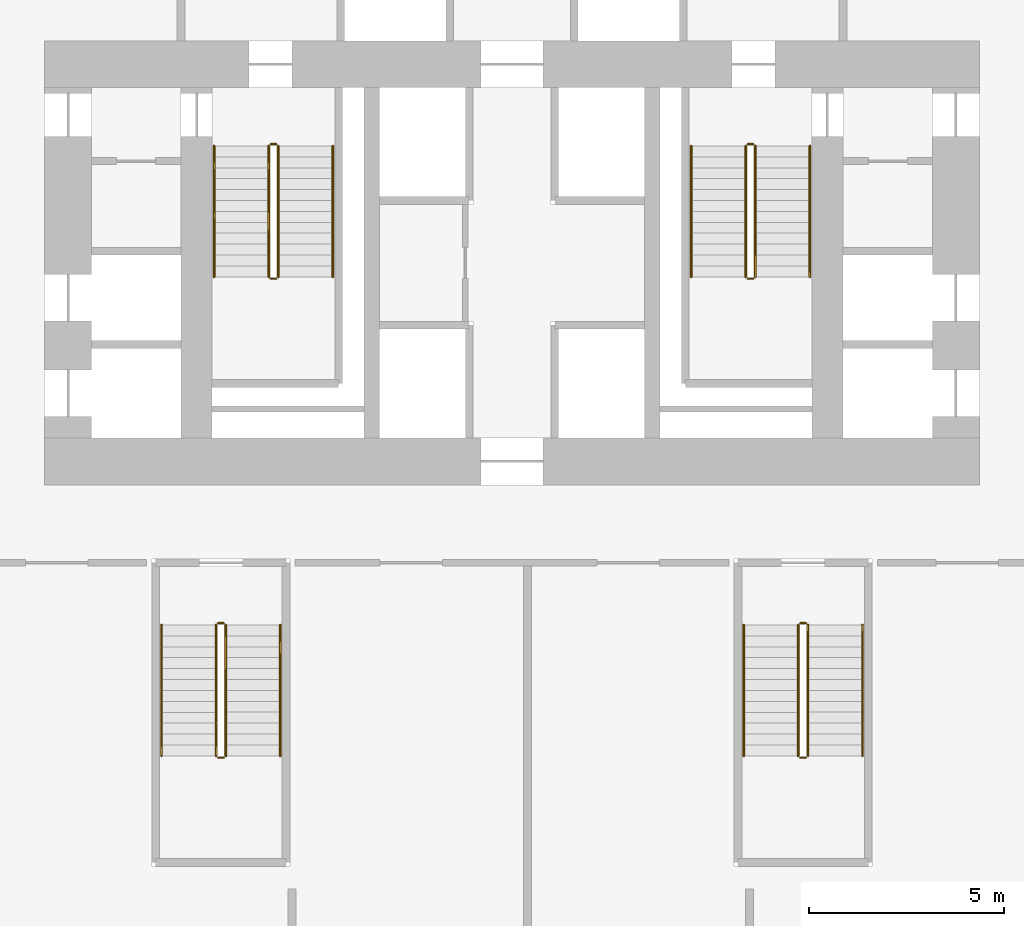
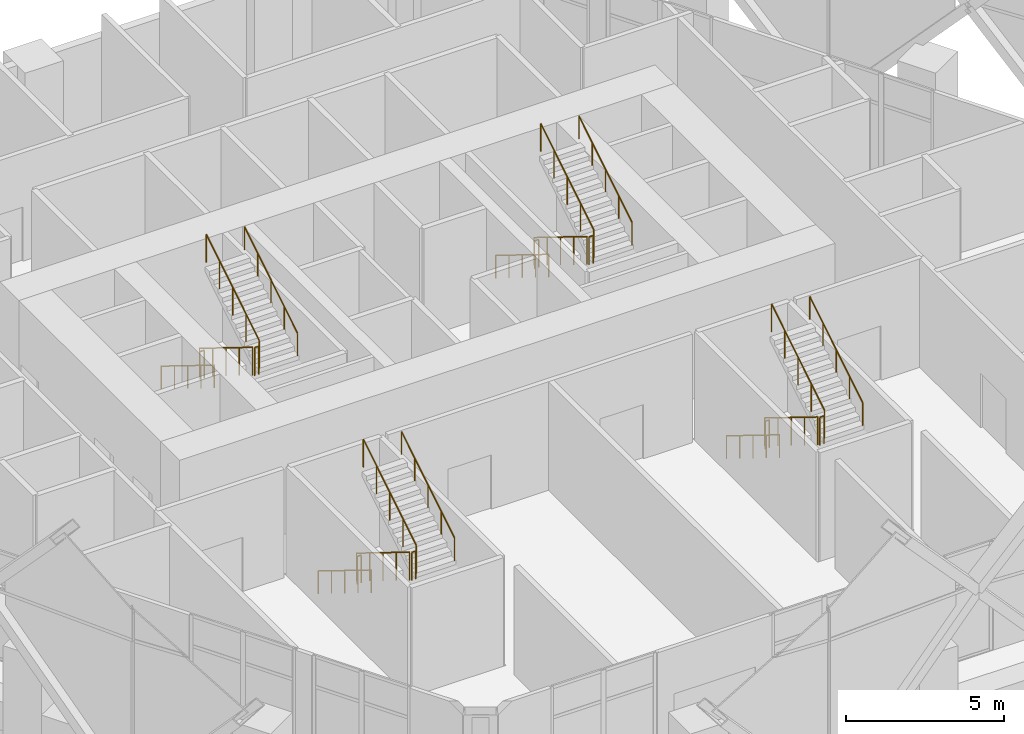
# One storey, part 46 of 46: 24 railings.
"""IFC4 building model written with IfcOpenShell, lengths in metres."""

from ifc_helpers import new_model, si_unit, direction, frame, origin, origin_2d, place, context, subcontext, project, spatial, circle, extrude, material, type_object, element, save


model = new_model("IFC4")

# Units and contexts
model_context = context("Model", 3, precision=1e-05, world=origin(), true_north=direction((0.0, 1.0)))
body_context = subcontext(model_context, "Body", "Model", "MODEL_VIEW")
ifc_project = project(units=[si_unit("LENGTHUNIT", "METRE"), si_unit("AREAUNIT", "SQUARE_METRE"), si_unit("VOLUMEUNIT", "CUBIC_METRE"), si_unit("PLANEANGLEUNIT", "RADIAN"), si_unit("MASSUNIT", "GRAM", prefix="KILO")], contexts=[model_context])

# Site, building, storey
site_placement = place(None, origin())
site = spatial("IfcSite", under=ifc_project, at=site_placement, CompositionType="ELEMENT")
building_placement = place(site_placement, origin())
building = spatial("IfcBuilding", under=site, at=building_placement, Name="Ostrander Bayou Hotel Tower", CompositionType="ELEMENT")
storey_placement = place(building_placement, frame((0.0, 0.0, 23.5)))
storey = spatial("IfcBuildingStorey", under=building, at=storey_placement, Name="L05", CompositionType="ELEMENT", Elevation=23.5)

# Railings
ifc_material_1 = material(Name="Steel ASTM A500 Gr C", Category="steel")
railing_type_1 = type_object("IfcRailingType", Name="GR1 stair guard 1100 mm steel", PredefinedType="GUARDRAIL", material=ifc_material_1)
railing_1_placement = place(storey_placement, frame((-6.25, 7.0, 0.173095703125)))
element("IfcRailing", 1, at=railing_1_placement, inside=storey, type_object=railing_type_1, Name="L05 STA stair guard 1", PredefinedType="GUARDRAIL", context=body_context, shape_type="SweptSolid", body=[
    extrude(circle(Radius=0.02392578125, at=origin_2d()), frame((0.0, 0.0, 1.076171875), z_axis=(0.0, -0.850623216509, 0.525775754039), x_axis=(1.0, 0.0, 0.0)), (0.0, 0.0, 1.0), 3.9501953125),
    extrude(circle(Radius=0.02099609375, at=origin_2d()), origin(), (0.0, 0.0, 1.0), 1.052001953125),
    extrude(circle(Radius=0.02099609375, at=origin_2d()), frame((0.0, -0.840087890625, 0.519287109375)), (0.0, 0.0, 1.0), 1.052001953125),
    extrude(circle(Radius=0.02099609375, at=origin_2d()), frame((0.0, -1.68017578125, 1.03857421875)), (0.0, 0.0, 1.0), 1.052001953125),
    extrude(circle(Radius=0.02099609375, at=origin_2d()), frame((0.0, -2.52001953125, 1.5576171875)), (0.0, 0.0, 1.0), 1.052001953125),
    extrude(circle(Radius=0.02099609375, at=origin_2d()), frame((0.0, -3.360107421875, 2.076904296875)), (0.0, 0.0, 1.0), 1.052001953125),
])
railing_2_placement = place(storey_placement, frame((-6.199951171875, 3.590087890625, 2.25)))
element("IfcRailing", 2, at=railing_2_placement, inside=storey, type_object=railing_type_1, Name="L05 STA stair guard 2", PredefinedType="GUARDRAIL", context=body_context, shape_type="SweptSolid", body=[
    extrude(circle(Radius=0.02392578125, at=origin_2d()), frame((0.0, 0.0, 1.076171875), z_axis=(1.0, 0.0, 0.0), x_axis=(0.0, 1.0, 0.0)), (0.0, 0.0, 1.0), 0.14990234375),
    extrude(circle(Radius=0.02099609375, at=origin_2d()), origin(), (0.0, 0.0, 1.0), 1.052001953125),
    extrude(circle(Radius=0.02099609375, at=origin_2d()), frame((0.14990234375, 0.0, 0.0)), (0.0, 0.0, 1.0), 1.052001953125),
])
railing_3_placement = place(storey_placement, frame((-6.0, 3.639892578125, 2.423095703125)))
element("IfcRailing", 3, at=railing_3_placement, inside=storey, type_object=railing_type_1, Name="L05 STA stair guard 3", PredefinedType="GUARDRAIL", context=body_context, shape_type="SweptSolid", body=[
    extrude(circle(Radius=0.02392578125, at=origin_2d()), frame((0.0, 0.0, 1.076171875), z_axis=(0.0, 0.850623216509, 0.525775754039), x_axis=(-1.0, 0.0, 0.0)), (0.0, 0.0, 1.0), 3.9501953125),
    extrude(circle(Radius=0.02099609375, at=origin_2d()), origin(), (0.0, 0.0, 1.0), 1.052001953125),
    extrude(circle(Radius=0.02099609375, at=origin_2d()), frame((0.0, 0.840087890625, 0.519287109375)), (0.0, 0.0, 1.0), 1.052001953125),
    extrude(circle(Radius=0.02099609375, at=origin_2d()), frame((0.0, 1.68017578125, 1.03857421875)), (0.0, 0.0, 1.0), 1.052001953125),
    extrude(circle(Radius=0.02099609375, at=origin_2d()), frame((0.0, 2.52001953125, 1.5576171875)), (0.0, 0.0, 1.0), 1.052001953125),
    extrude(circle(Radius=0.02099609375, at=origin_2d()), frame((0.0, 3.360107421875, 2.076904296875)), (0.0, 0.0, 1.0), 1.052001953125),
])
railing_4_placement = place(storey_placement, frame((-6.199951171875, 7.050048828125, 0.0)))
element("IfcRailing", 4, at=railing_4_placement, inside=storey, type_object=railing_type_1, Name="L05 STA stair guard 4", PredefinedType="GUARDRAIL", context=body_context, shape_type="SweptSolid", body=[
    extrude(circle(Radius=0.02392578125, at=origin_2d()), frame((0.0, 0.0, 1.076171875), z_axis=(1.0, 0.0, 0.0), x_axis=(0.0, 1.0, 0.0)), (0.0, 0.0, 1.0), 0.14990234375),
    extrude(circle(Radius=0.02099609375, at=origin_2d()), origin(), (0.0, 0.0, 1.0), 1.052001953125),
    extrude(circle(Radius=0.02099609375, at=origin_2d()), frame((0.14990234375, 0.0, 0.0)), (0.0, 0.0, 1.0), 1.052001953125),
])
railing_5_placement = place(storey_placement, frame((6.0, 7.0, 0.173095703125)))
element("IfcRailing", 5, at=railing_5_placement, inside=storey, type_object=railing_type_1, Name="L05 STB stair guard 1", PredefinedType="GUARDRAIL", context=body_context, shape_type="SweptSolid", body=[
    extrude(circle(Radius=0.02392578125, at=origin_2d()), frame((0.0, 0.0, 1.076171875), z_axis=(0.0, -0.850623216509, 0.525775754039), x_axis=(1.0, 0.0, 0.0)), (0.0, 0.0, 1.0), 3.9501953125),
    extrude(circle(Radius=0.02099609375, at=origin_2d()), origin(), (0.0, 0.0, 1.0), 1.052001953125),
    extrude(circle(Radius=0.02099609375, at=origin_2d()), frame((0.0, -0.840087890625, 0.519287109375)), (0.0, 0.0, 1.0), 1.052001953125),
    extrude(circle(Radius=0.02099609375, at=origin_2d()), frame((0.0, -1.68017578125, 1.03857421875)), (0.0, 0.0, 1.0), 1.052001953125),
    extrude(circle(Radius=0.02099609375, at=origin_2d()), frame((0.0, -2.52001953125, 1.5576171875)), (0.0, 0.0, 1.0), 1.052001953125),
    extrude(circle(Radius=0.02099609375, at=origin_2d()), frame((0.0, -3.360107421875, 2.076904296875)), (0.0, 0.0, 1.0), 1.052001953125),
])
railing_6_placement = place(storey_placement, frame((6.050048828125, 3.590087890625, 2.25)))
element("IfcRailing", 6, at=railing_6_placement, inside=storey, type_object=railing_type_1, Name="L05 STB stair guard 2", PredefinedType="GUARDRAIL", context=body_context, shape_type="SweptSolid", body=[
    extrude(circle(Radius=0.02392578125, at=origin_2d()), frame((0.0, 0.0, 1.076171875), z_axis=(1.0, 0.0, 0.0), x_axis=(0.0, 1.0, 0.0)), (0.0, 0.0, 1.0), 0.14990234375),
    extrude(circle(Radius=0.02099609375, at=origin_2d()), origin(), (0.0, 0.0, 1.0), 1.052001953125),
    extrude(circle(Radius=0.02099609375, at=origin_2d()), frame((0.14990234375, 0.0, 0.0)), (0.0, 0.0, 1.0), 1.052001953125),
])
railing_7_placement = place(storey_placement, frame((6.25, 3.639892578125, 2.423095703125)))
element("IfcRailing", 7, at=railing_7_placement, inside=storey, type_object=railing_type_1, Name="L05 STB stair guard 3", PredefinedType="GUARDRAIL", context=body_context, shape_type="SweptSolid", body=[
    extrude(circle(Radius=0.02392578125, at=origin_2d()), frame((0.0, 0.0, 1.076171875), z_axis=(0.0, 0.850623216509, 0.525775754039), x_axis=(-1.0, 0.0, 0.0)), (0.0, 0.0, 1.0), 3.9501953125),
    extrude(circle(Radius=0.02099609375, at=origin_2d()), origin(), (0.0, 0.0, 1.0), 1.052001953125),
    extrude(circle(Radius=0.02099609375, at=origin_2d()), frame((0.0, 0.840087890625, 0.519287109375)), (0.0, 0.0, 1.0), 1.052001953125),
    extrude(circle(Radius=0.02099609375, at=origin_2d()), frame((0.0, 1.68017578125, 1.03857421875)), (0.0, 0.0, 1.0), 1.052001953125),
    extrude(circle(Radius=0.02099609375, at=origin_2d()), frame((0.0, 2.52001953125, 1.5576171875)), (0.0, 0.0, 1.0), 1.052001953125),
    extrude(circle(Radius=0.02099609375, at=origin_2d()), frame((0.0, 3.360107421875, 2.076904296875)), (0.0, 0.0, 1.0), 1.052001953125),
])
railing_8_placement = place(storey_placement, frame((6.050048828125, 7.050048828125, 0.0)))
element("IfcRailing", 8, at=railing_8_placement, inside=storey, type_object=railing_type_1, Name="L05 STB stair guard 4", PredefinedType="GUARDRAIL", context=body_context, shape_type="SweptSolid", body=[
    extrude(circle(Radius=0.02392578125, at=origin_2d()), frame((0.0, 0.0, 1.076171875), z_axis=(1.0, 0.0, 0.0), x_axis=(0.0, 1.0, 0.0)), (0.0, 0.0, 1.0), 0.14990234375),
    extrude(circle(Radius=0.02099609375, at=origin_2d()), origin(), (0.0, 0.0, 1.0), 1.052001953125),
    extrude(circle(Radius=0.02099609375, at=origin_2d()), frame((0.14990234375, 0.0, 0.0)), (0.0, 0.0, 1.0), 1.052001953125),
])
railing_9_placement = place(storey_placement, frame((7.35009765625, -5.300048828125, 0.173095703125)))
element("IfcRailing", 9, at=railing_9_placement, inside=storey, type_object=railing_type_1, Name="L05 STC stair guard 1", PredefinedType="GUARDRAIL", context=body_context, shape_type="SweptSolid", body=[
    extrude(circle(Radius=0.02392578125, at=origin_2d()), frame((0.0, 0.0, 1.076171875), z_axis=(0.0, -0.850606129759, 0.525803396734), x_axis=(1.0, 0.0, 0.0)), (0.0, 0.0, 1.0), 3.949951171875),
    extrude(circle(Radius=0.02099609375, at=origin_2d()), origin(), (0.0, 0.0, 1.0), 1.052001953125),
    extrude(circle(Radius=0.02099609375, at=origin_2d()), frame((0.0, -0.83984375, 0.519287109375)), (0.0, 0.0, 1.0), 1.052001953125),
    extrude(circle(Radius=0.02099609375, at=origin_2d()), frame((0.0, -1.679931640625, 1.03857421875)), (0.0, 0.0, 1.0), 1.052001953125),
    extrude(circle(Radius=0.02099609375, at=origin_2d()), frame((0.0, -2.52001953125, 1.5576171875)), (0.0, 0.0, 1.0), 1.052001953125),
    extrude(circle(Radius=0.02099609375, at=origin_2d()), frame((0.0, -3.35986328125, 2.076904296875)), (0.0, 0.0, 1.0), 1.052001953125),
])
railing_10_placement = place(storey_placement, frame((7.39990234375, -8.7099609375, 2.25)))
element("IfcRailing", 10, at=railing_10_placement, inside=storey, type_object=railing_type_1, Name="L05 STC stair guard 2", PredefinedType="GUARDRAIL", context=body_context, shape_type="SweptSolid", body=[
    extrude(circle(Radius=0.02392578125, at=origin_2d()), frame((0.0, 0.0, 1.076171875), z_axis=(1.0, 0.0, 0.0), x_axis=(0.0, 1.0, 0.0)), (0.0, 0.0, 1.0), 0.150146484375),
    extrude(circle(Radius=0.02099609375, at=origin_2d()), origin(), (0.0, 0.0, 1.0), 1.052001953125),
    extrude(circle(Radius=0.02099609375, at=origin_2d()), frame((0.150146484375, 0.0, 0.0)), (0.0, 0.0, 1.0), 1.052001953125),
])
railing_11_placement = place(storey_placement, frame((7.60009765625, -8.659912109375, 2.423095703125)))
element("IfcRailing", 11, at=railing_11_placement, inside=storey, type_object=railing_type_1, Name="L05 STC stair guard 3", PredefinedType="GUARDRAIL", context=body_context, shape_type="SweptSolid", body=[
    extrude(circle(Radius=0.02392578125, at=origin_2d()), frame((0.0, 0.0, 1.076171875), z_axis=(0.0, 0.850606129759, 0.525803396734), x_axis=(-1.0, 0.0, 0.0)), (0.0, 0.0, 1.0), 3.949951171875),
    extrude(circle(Radius=0.02099609375, at=origin_2d()), origin(), (0.0, 0.0, 1.0), 1.052001953125),
    extrude(circle(Radius=0.02099609375, at=origin_2d()), frame((0.0, 0.83984375, 0.519287109375)), (0.0, 0.0, 1.0), 1.052001953125),
    extrude(circle(Radius=0.02099609375, at=origin_2d()), frame((0.0, 1.679931640625, 1.03857421875)), (0.0, 0.0, 1.0), 1.052001953125),
    extrude(circle(Radius=0.02099609375, at=origin_2d()), frame((0.0, 2.52001953125, 1.5576171875)), (0.0, 0.0, 1.0), 1.052001953125),
    extrude(circle(Radius=0.02099609375, at=origin_2d()), frame((0.0, 3.35986328125, 2.076904296875)), (0.0, 0.0, 1.0), 1.052001953125),
])
railing_12_placement = place(storey_placement, frame((7.39990234375, -5.25, 0.0)))
element("IfcRailing", 12, at=railing_12_placement, inside=storey, type_object=railing_type_1, Name="L05 STC stair guard 4", PredefinedType="GUARDRAIL", context=body_context, shape_type="SweptSolid", body=[
    extrude(circle(Radius=0.02392578125, at=origin_2d()), frame((0.0, 0.0, 1.076171875), z_axis=(1.0, 0.0, 0.0), x_axis=(0.0, 1.0, 0.0)), (0.0, 0.0, 1.0), 0.150146484375),
    extrude(circle(Radius=0.02099609375, at=origin_2d()), origin(), (0.0, 0.0, 1.0), 1.052001953125),
    extrude(circle(Radius=0.02099609375, at=origin_2d()), frame((0.150146484375, 0.0, 0.0)), (0.0, 0.0, 1.0), 1.052001953125),
])
railing_13_placement = place(storey_placement, frame((-7.60009765625, -5.300048828125, 0.173095703125)))
element("IfcRailing", 13, at=railing_13_placement, inside=storey, type_object=railing_type_1, Name="L05 STD stair guard 1", PredefinedType="GUARDRAIL", context=body_context, shape_type="SweptSolid", body=[
    extrude(circle(Radius=0.02392578125, at=origin_2d()), frame((0.0, 0.0, 1.076171875), z_axis=(0.0, -0.850606129759, 0.525803396734), x_axis=(1.0, 0.0, 0.0)), (0.0, 0.0, 1.0), 3.949951171875),
    extrude(circle(Radius=0.02099609375, at=origin_2d()), origin(), (0.0, 0.0, 1.0), 1.052001953125),
    extrude(circle(Radius=0.02099609375, at=origin_2d()), frame((0.0, -0.83984375, 0.519287109375)), (0.0, 0.0, 1.0), 1.052001953125),
    extrude(circle(Radius=0.02099609375, at=origin_2d()), frame((0.0, -1.679931640625, 1.03857421875)), (0.0, 0.0, 1.0), 1.052001953125),
    extrude(circle(Radius=0.02099609375, at=origin_2d()), frame((0.0, -2.52001953125, 1.5576171875)), (0.0, 0.0, 1.0), 1.052001953125),
    extrude(circle(Radius=0.02099609375, at=origin_2d()), frame((0.0, -3.35986328125, 2.076904296875)), (0.0, 0.0, 1.0), 1.052001953125),
])
railing_14_placement = place(storey_placement, frame((-7.550048828125, -8.7099609375, 2.25)))
element("IfcRailing", 14, at=railing_14_placement, inside=storey, type_object=railing_type_1, Name="L05 STD stair guard 2", PredefinedType="GUARDRAIL", context=body_context, shape_type="SweptSolid", body=[
    extrude(circle(Radius=0.02392578125, at=origin_2d()), frame((0.0, 0.0, 1.076171875), z_axis=(1.0, 0.0, 0.0), x_axis=(0.0, 1.0, 0.0)), (0.0, 0.0, 1.0), 0.150146484375),
    extrude(circle(Radius=0.02099609375, at=origin_2d()), origin(), (0.0, 0.0, 1.0), 1.052001953125),
    extrude(circle(Radius=0.02099609375, at=origin_2d()), frame((0.150146484375, 0.0, 0.0)), (0.0, 0.0, 1.0), 1.052001953125),
])
railing_15_placement = place(storey_placement, frame((-7.35009765625, -8.659912109375, 2.423095703125)))
element("IfcRailing", 15, at=railing_15_placement, inside=storey, type_object=railing_type_1, Name="L05 STD stair guard 3", PredefinedType="GUARDRAIL", context=body_context, shape_type="SweptSolid", body=[
    extrude(circle(Radius=0.02392578125, at=origin_2d()), frame((0.0, 0.0, 1.076171875), z_axis=(0.0, 0.850606129759, 0.525803396734), x_axis=(-1.0, 0.0, 0.0)), (0.0, 0.0, 1.0), 3.949951171875),
    extrude(circle(Radius=0.02099609375, at=origin_2d()), origin(), (0.0, 0.0, 1.0), 1.052001953125),
    extrude(circle(Radius=0.02099609375, at=origin_2d()), frame((0.0, 0.83984375, 0.519287109375)), (0.0, 0.0, 1.0), 1.052001953125),
    extrude(circle(Radius=0.02099609375, at=origin_2d()), frame((0.0, 1.679931640625, 1.03857421875)), (0.0, 0.0, 1.0), 1.052001953125),
    extrude(circle(Radius=0.02099609375, at=origin_2d()), frame((0.0, 2.52001953125, 1.5576171875)), (0.0, 0.0, 1.0), 1.052001953125),
    extrude(circle(Radius=0.02099609375, at=origin_2d()), frame((0.0, 3.35986328125, 2.076904296875)), (0.0, 0.0, 1.0), 1.052001953125),
])
railing_16_placement = place(storey_placement, frame((-7.550048828125, -5.25, 0.0)))
element("IfcRailing", 16, at=railing_16_placement, inside=storey, type_object=railing_type_1, Name="L05 STD stair guard 4", PredefinedType="GUARDRAIL", context=body_context, shape_type="SweptSolid", body=[
    extrude(circle(Radius=0.02392578125, at=origin_2d()), frame((0.0, 0.0, 1.076171875), z_axis=(1.0, 0.0, 0.0), x_axis=(0.0, 1.0, 0.0)), (0.0, 0.0, 1.0), 0.150146484375),
    extrude(circle(Radius=0.02099609375, at=origin_2d()), origin(), (0.0, 0.0, 1.0), 1.052001953125),
    extrude(circle(Radius=0.02099609375, at=origin_2d()), frame((0.150146484375, 0.0, 0.0)), (0.0, 0.0, 1.0), 1.052001953125),
])
ifc_material_2 = material(Name="Steel ASTM A500 Gr C", Category="steel")
railing_type_2 = type_object("IfcRailingType", Name="HR1 stair handrail 900 mm steel", PredefinedType="HANDRAIL", material=ifc_material_2)
railing_17_placement = place(storey_placement, frame((-7.64990234375, 7.0, 0.173095703125)))
element("IfcRailing", 17, at=railing_17_placement, inside=storey, type_object=railing_type_2, Name="L05 STA stair handrail 1", PredefinedType="HANDRAIL", context=body_context, shape_type="SweptSolid", body=[
    extrude(circle(Radius=0.02392578125, at=origin_2d()), frame((0.0, 0.0, 0.8759765625), z_axis=(0.0, -0.850623216509, 0.525775754039), x_axis=(1.0, 0.0, 0.0)), (0.0, 0.0, 1.0), 3.9501953125),
    extrude(circle(Radius=0.02099609375, at=origin_2d()), origin(), (0.0, 0.0, 1.0), 0.851806640625),
    extrude(circle(Radius=0.02099609375, at=origin_2d()), frame((0.0, -0.840087890625, 0.519287109375)), (0.0, 0.0, 1.0), 0.851806640625),
    extrude(circle(Radius=0.02099609375, at=origin_2d()), frame((0.0, -1.68017578125, 1.03857421875)), (0.0, 0.0, 1.0), 0.851806640625),
    extrude(circle(Radius=0.02099609375, at=origin_2d()), frame((0.0, -2.52001953125, 1.5576171875)), (0.0, 0.0, 1.0), 0.851806640625),
    extrude(circle(Radius=0.02099609375, at=origin_2d()), frame((0.0, -3.360107421875, 2.076904296875)), (0.0, 0.0, 1.0), 0.851806640625),
])
railing_18_placement = place(storey_placement, frame((-4.60009765625, 3.639892578125, 2.423095703125)))
element("IfcRailing", 18, at=railing_18_placement, inside=storey, type_object=railing_type_2, Name="L05 STA stair handrail 2", PredefinedType="HANDRAIL", context=body_context, shape_type="SweptSolid", body=[
    extrude(circle(Radius=0.02392578125, at=origin_2d()), frame((0.0, 0.0, 0.8759765625), z_axis=(0.0, 0.850623216509, 0.525775754039), x_axis=(-1.0, 0.0, 0.0)), (0.0, 0.0, 1.0), 3.9501953125),
    extrude(circle(Radius=0.02099609375, at=origin_2d()), origin(), (0.0, 0.0, 1.0), 0.851806640625),
    extrude(circle(Radius=0.02099609375, at=origin_2d()), frame((0.0, 0.840087890625, 0.519287109375)), (0.0, 0.0, 1.0), 0.851806640625),
    extrude(circle(Radius=0.02099609375, at=origin_2d()), frame((0.0, 1.68017578125, 1.03857421875)), (0.0, 0.0, 1.0), 0.851806640625),
    extrude(circle(Radius=0.02099609375, at=origin_2d()), frame((0.0, 2.52001953125, 1.5576171875)), (0.0, 0.0, 1.0), 0.851806640625),
    extrude(circle(Radius=0.02099609375, at=origin_2d()), frame((0.0, 3.360107421875, 2.076904296875)), (0.0, 0.0, 1.0), 0.851806640625),
])
railing_19_placement = place(storey_placement, frame((4.60009765625, 7.0, 0.173095703125)))
element("IfcRailing", 19, at=railing_19_placement, inside=storey, type_object=railing_type_2, Name="L05 STB stair handrail 1", PredefinedType="HANDRAIL", context=body_context, shape_type="SweptSolid", body=[
    extrude(circle(Radius=0.02392578125, at=origin_2d()), frame((0.0, 0.0, 0.8759765625), z_axis=(0.0, -0.850623216509, 0.525775754039), x_axis=(1.0, 0.0, 0.0)), (0.0, 0.0, 1.0), 3.9501953125),
    extrude(circle(Radius=0.02099609375, at=origin_2d()), origin(), (0.0, 0.0, 1.0), 0.851806640625),
    extrude(circle(Radius=0.02099609375, at=origin_2d()), frame((0.0, -0.840087890625, 0.519287109375)), (0.0, 0.0, 1.0), 0.851806640625),
    extrude(circle(Radius=0.02099609375, at=origin_2d()), frame((0.0, -1.68017578125, 1.03857421875)), (0.0, 0.0, 1.0), 0.851806640625),
    extrude(circle(Radius=0.02099609375, at=origin_2d()), frame((0.0, -2.52001953125, 1.5576171875)), (0.0, 0.0, 1.0), 0.851806640625),
    extrude(circle(Radius=0.02099609375, at=origin_2d()), frame((0.0, -3.360107421875, 2.076904296875)), (0.0, 0.0, 1.0), 0.851806640625),
])
railing_20_placement = place(storey_placement, frame((7.64990234375, 3.639892578125, 2.423095703125)))
element("IfcRailing", 20, at=railing_20_placement, inside=storey, type_object=railing_type_2, Name="L05 STB stair handrail 2", PredefinedType="HANDRAIL", context=body_context, shape_type="SweptSolid", body=[
    extrude(circle(Radius=0.02392578125, at=origin_2d()), frame((0.0, 0.0, 0.8759765625), z_axis=(0.0, 0.850623216509, 0.525775754039), x_axis=(-1.0, 0.0, 0.0)), (0.0, 0.0, 1.0), 3.9501953125),
    extrude(circle(Radius=0.02099609375, at=origin_2d()), origin(), (0.0, 0.0, 1.0), 0.851806640625),
    extrude(circle(Radius=0.02099609375, at=origin_2d()), frame((0.0, 0.840087890625, 0.519287109375)), (0.0, 0.0, 1.0), 0.851806640625),
    extrude(circle(Radius=0.02099609375, at=origin_2d()), frame((0.0, 1.68017578125, 1.03857421875)), (0.0, 0.0, 1.0), 0.851806640625),
    extrude(circle(Radius=0.02099609375, at=origin_2d()), frame((0.0, 2.52001953125, 1.5576171875)), (0.0, 0.0, 1.0), 0.851806640625),
    extrude(circle(Radius=0.02099609375, at=origin_2d()), frame((0.0, 3.360107421875, 2.076904296875)), (0.0, 0.0, 1.0), 0.851806640625),
])
railing_21_placement = place(storey_placement, frame((5.949951171875, -5.300048828125, 0.173095703125)))
element("IfcRailing", 21, at=railing_21_placement, inside=storey, type_object=railing_type_2, Name="L05 STC stair handrail 1", PredefinedType="HANDRAIL", context=body_context, shape_type="SweptSolid", body=[
    extrude(circle(Radius=0.02392578125, at=origin_2d()), frame((0.0, 0.0, 0.8759765625), z_axis=(0.0, -0.850606129759, 0.525803396734), x_axis=(1.0, 0.0, 0.0)), (0.0, 0.0, 1.0), 3.949951171875),
    extrude(circle(Radius=0.02099609375, at=origin_2d()), origin(), (0.0, 0.0, 1.0), 0.851806640625),
    extrude(circle(Radius=0.02099609375, at=origin_2d()), frame((0.0, -0.83984375, 0.519287109375)), (0.0, 0.0, 1.0), 0.851806640625),
    extrude(circle(Radius=0.02099609375, at=origin_2d()), frame((0.0, -1.679931640625, 1.03857421875)), (0.0, 0.0, 1.0), 0.851806640625),
    extrude(circle(Radius=0.02099609375, at=origin_2d()), frame((0.0, -2.52001953125, 1.5576171875)), (0.0, 0.0, 1.0), 0.851806640625),
    extrude(circle(Radius=0.02099609375, at=origin_2d()), frame((0.0, -3.35986328125, 2.076904296875)), (0.0, 0.0, 1.0), 0.851806640625),
])
railing_22_placement = place(storey_placement, frame((9.0, -8.659912109375, 2.423095703125)))
element("IfcRailing", 22, at=railing_22_placement, inside=storey, type_object=railing_type_2, Name="L05 STC stair handrail 2", PredefinedType="HANDRAIL", context=body_context, shape_type="SweptSolid", body=[
    extrude(circle(Radius=0.02392578125, at=origin_2d()), frame((0.0, 0.0, 0.8759765625), z_axis=(0.0, 0.850606129759, 0.525803396734), x_axis=(-1.0, 0.0, 0.0)), (0.0, 0.0, 1.0), 3.949951171875),
    extrude(circle(Radius=0.02099609375, at=origin_2d()), origin(), (0.0, 0.0, 1.0), 0.851806640625),
    extrude(circle(Radius=0.02099609375, at=origin_2d()), frame((0.0, 0.83984375, 0.519287109375)), (0.0, 0.0, 1.0), 0.851806640625),
    extrude(circle(Radius=0.02099609375, at=origin_2d()), frame((0.0, 1.679931640625, 1.03857421875)), (0.0, 0.0, 1.0), 0.851806640625),
    extrude(circle(Radius=0.02099609375, at=origin_2d()), frame((0.0, 2.52001953125, 1.5576171875)), (0.0, 0.0, 1.0), 0.851806640625),
    extrude(circle(Radius=0.02099609375, at=origin_2d()), frame((0.0, 3.35986328125, 2.076904296875)), (0.0, 0.0, 1.0), 0.851806640625),
])
railing_23_placement = place(storey_placement, frame((-9.0, -5.300048828125, 0.173095703125)))
element("IfcRailing", 23, at=railing_23_placement, inside=storey, type_object=railing_type_2, Name="L05 STD stair handrail 1", PredefinedType="HANDRAIL", context=body_context, shape_type="SweptSolid", body=[
    extrude(circle(Radius=0.02392578125, at=origin_2d()), frame((0.0, 0.0, 0.8759765625), z_axis=(0.0, -0.850606129759, 0.525803396734), x_axis=(1.0, 0.0, 0.0)), (0.0, 0.0, 1.0), 3.949951171875),
    extrude(circle(Radius=0.02099609375, at=origin_2d()), origin(), (0.0, 0.0, 1.0), 0.851806640625),
    extrude(circle(Radius=0.02099609375, at=origin_2d()), frame((0.0, -0.83984375, 0.519287109375)), (0.0, 0.0, 1.0), 0.851806640625),
    extrude(circle(Radius=0.02099609375, at=origin_2d()), frame((0.0, -1.679931640625, 1.03857421875)), (0.0, 0.0, 1.0), 0.851806640625),
    extrude(circle(Radius=0.02099609375, at=origin_2d()), frame((0.0, -2.52001953125, 1.5576171875)), (0.0, 0.0, 1.0), 0.851806640625),
    extrude(circle(Radius=0.02099609375, at=origin_2d()), frame((0.0, -3.35986328125, 2.076904296875)), (0.0, 0.0, 1.0), 0.851806640625),
])
railing_24_placement = place(storey_placement, frame((-5.949951171875, -8.659912109375, 2.423095703125)))
element("IfcRailing", 24, at=railing_24_placement, inside=storey, type_object=railing_type_2, Name="L05 STD stair handrail 2", PredefinedType="HANDRAIL", context=body_context, shape_type="SweptSolid", body=[
    extrude(circle(Radius=0.02392578125, at=origin_2d()), frame((0.0, 0.0, 0.8759765625), z_axis=(0.0, 0.850606129759, 0.525803396734), x_axis=(-1.0, 0.0, 0.0)), (0.0, 0.0, 1.0), 3.949951171875),
    extrude(circle(Radius=0.02099609375, at=origin_2d()), origin(), (0.0, 0.0, 1.0), 0.851806640625),
    extrude(circle(Radius=0.02099609375, at=origin_2d()), frame((0.0, 0.83984375, 0.519287109375)), (0.0, 0.0, 1.0), 0.851806640625),
    extrude(circle(Radius=0.02099609375, at=origin_2d()), frame((0.0, 1.679931640625, 1.03857421875)), (0.0, 0.0, 1.0), 0.851806640625),
    extrude(circle(Radius=0.02099609375, at=origin_2d()), frame((0.0, 2.52001953125, 1.5576171875)), (0.0, 0.0, 1.0), 0.851806640625),
    extrude(circle(Radius=0.02099609375, at=origin_2d()), frame((0.0, 3.35986328125, 2.076904296875)), (0.0, 0.0, 1.0), 0.851806640625),
])

save(model, "model.ifc")
